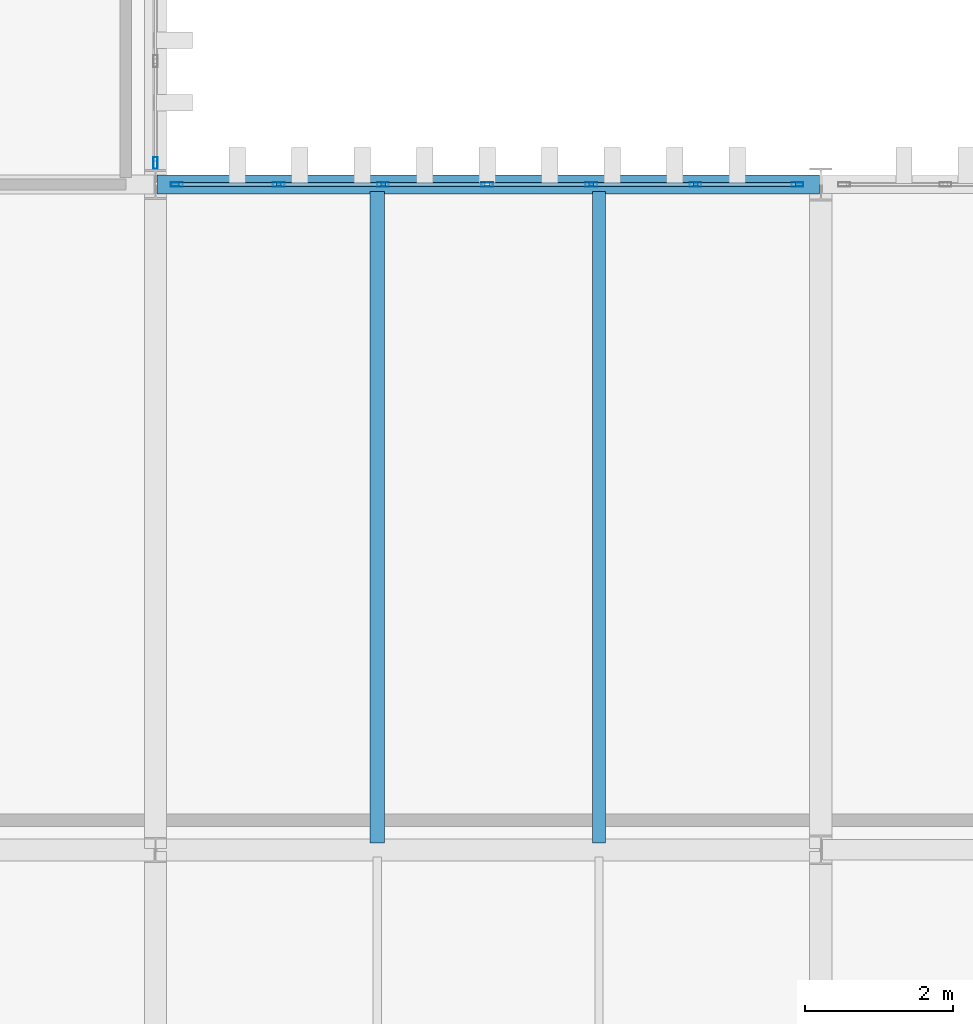
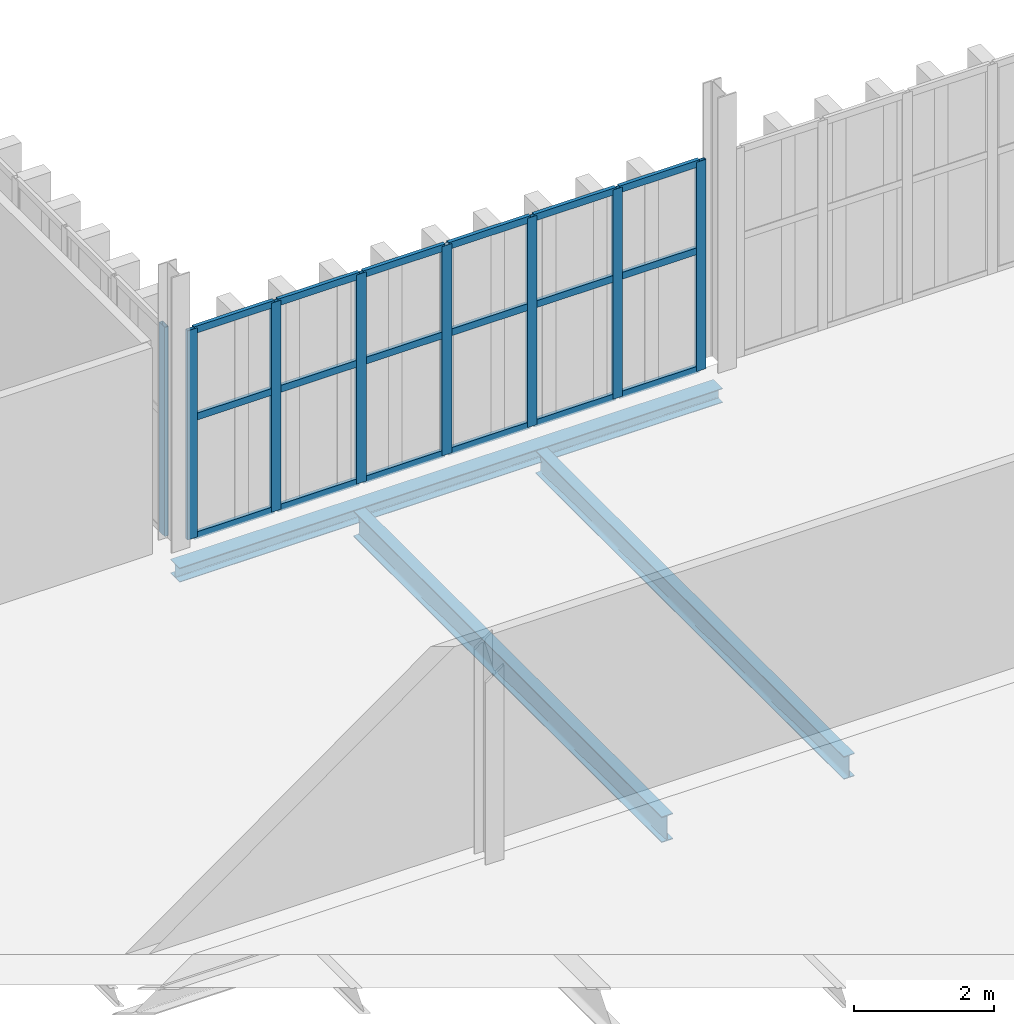
# One storey, part 115 of 196: 26 members, 3 beams, 2 elements without a shape of their own.
"""IFC4 building model written with IfcOpenShell, lengths in metres."""

import ifcopenshell
import ifcopenshell.guid

model = None  # the IFC model being written
_history = None  # IfcOwnerHistory: only IFC2X3 demands one
_inside = {}  # id of a spatial element -> (the spatial element, [elements in it])
_under = {}  # id of a project, library or spatial element -> (it, [spatial elements below it])
_declared = {}  # id of a project -> (the project, [libraries it declares])
_typed = {}  # id of a type object -> (the type object, [elements of that type])
_made_of = {}  # id of a material, layer set ... -> (it, [elements and type objects made of it])


def new_model(schema):
    """Start an empty IFC model of exactly this schema.

    Asked for "IFC4X3", IfcOpenShell would pick the latest addendum, in which some entities
    have other attributes; the version numbers below select the first issue.
    IFC2X3 requires an IfcOwnerHistory on every rooted entity: one is made here for all.
    """
    global model, _history
    if schema == "IFC4X3":
        model = ifcopenshell.file(schema_version=(4, 3, 0, 0))
    else:
        model = ifcopenshell.file(schema=schema)
    _inside.clear()
    _under.clear()
    _declared.clear()
    _typed.clear()
    _made_of.clear()
    _history = None
    if model.schema == "IFC2X3":
        org = make("IfcOrganization", Name="unknown")
        user = make(
            "IfcPersonAndOrganization",
            ThePerson=make("IfcPerson", FamilyName="unknown"),
            TheOrganization=org,
        )
        app = make(
            "IfcApplication",
            ApplicationDeveloper=org,
            Version="unknown",
            ApplicationFullName="unknown",
            ApplicationIdentifier="unknown",
        )
        _history = make(
            "IfcOwnerHistory",
            OwningUser=user,
            OwningApplication=app,
            ChangeAction="ADDED",
            CreationDate=0,
        )
    return model


def make(cls, **values):
    """One entity of the class cls with the attributes given. An attribute that is None is left unset."""
    return model.create_entity(
        cls, **{name: value for name, value in values.items() if value is not None}
    )


def rooted(cls, **values):
    """An entity with a GlobalId (a new one), such as an element, a storey or a relation."""
    return make(cls, GlobalId=ifcopenshell.guid.new(), OwnerHistory=_history, **values)


def si_unit(unit_type, name, prefix=None):
    """IfcSIUnit, for example si_unit("LENGTHUNIT", "METRE", prefix="MILLI")."""
    return make("IfcSIUnit", UnitType=unit_type, Prefix=prefix, Name=name)


def assignment(units):
    """IfcUnitAssignment: the units of a project."""
    return None if units is None else make("IfcUnitAssignment", Units=units)


def point(xyz):
    """IfcCartesianPoint."""
    return None if xyz is None else make("IfcCartesianPoint", Coordinates=xyz)


def direction(xyz):
    """IfcDirection."""
    return None if xyz is None else make("IfcDirection", DirectionRatios=xyz)


def frame(location, z_axis=None, x_axis=None):
    """IfcAxis2Placement3D, a coordinate frame: its origin and axes. An axis left out is left unset."""
    return make(
        "IfcAxis2Placement3D",
        Location=point(location),
        Axis=direction(z_axis),
        RefDirection=direction(x_axis),
    )


def frame_2d(location, x_axis=None):
    """IfcAxis2Placement2D, a coordinate frame in the plane: its origin and x axis."""
    return make(
        "IfcAxis2Placement2D", Location=point(location), RefDirection=direction(x_axis)
    )


def origin():
    """The frame at (0, 0, 0) with its axes left unset."""
    return frame((0.0, 0.0, 0.0))


def origin_2d():
    """The frame at (0, 0) in the plane with its x axis left unset."""
    return frame_2d((0.0, 0.0))


def place(relative_to, where):
    """IfcLocalPlacement: puts the frame where relative to a parent placement (None: the world)."""
    return make(
        "IfcLocalPlacement", PlacementRelTo=relative_to, RelativePlacement=where
    )


def context(
    kind, dimensions, precision=None, world=None, true_north=None, identifier=None
):
    """IfcGeometricRepresentationContext, for example the 3D "Model" context."""
    return make(
        "IfcGeometricRepresentationContext",
        ContextIdentifier=identifier,
        ContextType=kind,
        CoordinateSpaceDimension=dimensions,
        Precision=precision,
        WorldCoordinateSystem=world,
        TrueNorth=true_north,
    )


def subcontext(parent, identifier, kind, view, scale=None):
    """IfcGeometricRepresentationSubContext, for example "Body" below "Model"."""
    return make(
        "IfcGeometricRepresentationSubContext",
        ContextIdentifier=identifier,
        ContextType=kind,
        ParentContext=parent,
        TargetScale=scale,
        TargetView=view,
    )


def project(units=None, contexts=None):
    """IfcProject with its units and contexts."""
    return rooted(
        "IfcProject",
        Name="project",
        RepresentationContexts=contexts,
        UnitsInContext=assignment(units),
    )


def spatial(cls, under=None, at=None, **own):
    """A site, building, storey or space (cls), placed at a placement, below another one or the project."""
    s = rooted(cls, ObjectPlacement=at, **own)
    if under is not None:
        _under.setdefault(under.id(), (under, []))[1].append(s)
    return s


def profile(cls, at=None, kind="AREA", **sizes):
    """A parametric profile (cls). Its sizes go by their IFC names, for example OverallWidth=200.0."""
    return make(cls, ProfileType=kind, Position=at, **sizes)


def hollow_rectangle(**sizes):
    """IfcRectangleHollowProfileDef."""
    return profile("IfcRectangleHollowProfileDef", **sizes)


def i_section(**sizes):
    """IfcIShapeProfileDef."""
    return profile("IfcIShapeProfileDef", **sizes)


def extrude(swept, where, along, depth):
    """IfcExtrudedAreaSolid: the profile swept, set in the frame where, extruded along a direction by depth."""
    return make(
        "IfcExtrudedAreaSolid",
        SweptArea=swept,
        Position=where,
        ExtrudedDirection=direction(along),
        Depth=depth,
    )


def shape(context_of_items, identifier, shape_type, items):
    """IfcShapeRepresentation: the items that make up one representation, for example the "Body"."""
    return make(
        "IfcShapeRepresentation",
        ContextOfItems=context_of_items,
        RepresentationIdentifier=identifier,
        RepresentationType=shape_type,
        Items=items,
    )


def material(Name=None, Category=None):
    """IfcMaterial."""
    return make("IfcMaterial", Name=Name, Category=Category)


def layer(
    of_material, thickness, ventilated=None, Name=None, Category=None, Priority=None
):
    """IfcMaterialLayer: one layer of a wall or slab, of a material (None: an air gap)."""
    return make(
        "IfcMaterialLayer",
        Material=of_material,
        LayerThickness=thickness,
        IsVentilated=ventilated,
        Name=Name,
        Category=Category,
        Priority=Priority,
    )


def layer_set(layers, Name=None):
    """IfcMaterialLayerSet."""
    return make("IfcMaterialLayerSet", MaterialLayers=layers, LayerSetName=Name)


def material_profile(
    of_material, cross_section, Name=None, Category=None, Priority=None
):
    """IfcMaterialProfile: a cross section and its material."""
    return make(
        "IfcMaterialProfile",
        Name=Name,
        Material=of_material,
        Profile=cross_section,
        Priority=Priority,
        Category=Category,
    )


def profile_set(profiles, Name=None, composite=None):
    """IfcMaterialProfileSet."""
    return make(
        "IfcMaterialProfileSet",
        Name=Name,
        MaterialProfiles=profiles,
        CompositeProfile=composite,
    )


def made_of(thing, what):
    """Note that an element or type object is made of a material, layer set ...; save() writes the relation."""
    if what is not None:
        _made_of.setdefault(what.id(), (what, []))[1].append(thing)
    return thing


def type_object(cls, material=None, **own):
    """A type object (cls), such as IfcWallType, which elements share."""
    return made_of(rooted(cls, **own), material)


def element(
    cls,
    number,
    at=None,
    inside=None,
    cuts=None,
    type_object=None,
    material=None,
    context=None,
    identifier="Body",
    shape_type=None,
    held_by="IfcProductDefinitionShape",
    body=None,
    shapes=None,
    **own,
):
    """One element of the class cls, such as IfcWall. Its Tag is "e" and its number.

    at: its placement. inside: the storey or other place that contains it. cuts: it is an
    opening in that element (IfcRelVoidsElement). A single representation is given by context,
    identifier, shape_type and body (its items); several are given by shapes. held_by: the class
    of the entity that holds the representations. save() writes the other relations.
    """
    e = rooted(cls, Tag="e%d" % number, ObjectPlacement=at, **own)
    if body is not None:
        shapes = [shape(context, identifier, shape_type, body)]
    if shapes is not None:
        e.Representation = make(held_by, Representations=shapes)
    if inside is not None:
        _inside.setdefault(inside.id(), (inside, []))[1].append(e)
    if cuts is not None:
        rooted(
            "IfcRelVoidsElement", RelatingBuildingElement=cuts, RelatedOpeningElement=e
        )
    if type_object is not None:
        _typed.setdefault(type_object.id(), (type_object, []))[1].append(e)
    return made_of(e, material)


def aggregate(whole, parts):
    """IfcRelAggregates: a whole, such as a stair, and the parts it consists of."""
    return rooted("IfcRelAggregates", RelatingObject=whole, RelatedObjects=parts)


def save(model, path):
    """Write the relations noted so far, then the file.

    IfcRelAggregates (storeys below a building ...), IfcRelContainedInSpatialStructure (elements
    in a storey), IfcRelDefinesByType, IfcRelAssociatesMaterial and IfcRelDeclares: one each for
    every whole, place, type object, material and project.
    """
    for whole, parts in _under.values():
        aggregate(whole, parts)
    for where, things in _inside.values():
        rooted(
            "IfcRelContainedInSpatialStructure",
            RelatedElements=things,
            RelatingStructure=where,
        )
    for kind, things in _typed.values():
        rooted("IfcRelDefinesByType", RelatedObjects=things, RelatingType=kind)
    for what, things in _made_of.values():
        rooted("IfcRelAssociatesMaterial", RelatedObjects=things, RelatingMaterial=what)
    for by, libraries in _declared.values():
        rooted("IfcRelDeclares", RelatingContext=by, RelatedDefinitions=libraries)
    model.write(path)


model = new_model("IFC4")

# Units and contexts
model_context = context("Model", 3, precision=1e-05, world=origin(), true_north=direction((0.0, 1.0)))
body_context = subcontext(model_context, "Body", "Model", "MODEL_VIEW")
ifc_project = project(units=[si_unit("LENGTHUNIT", "METRE"), si_unit("AREAUNIT", "SQUARE_METRE"), si_unit("VOLUMEUNIT", "CUBIC_METRE"), si_unit("PLANEANGLEUNIT", "RADIAN"), si_unit("MASSUNIT", "GRAM", prefix="KILO")], contexts=[model_context])

# Site, building, storey
site_placement = place(None, origin())
site = spatial("IfcSite", under=ifc_project, at=site_placement, CompositionType="ELEMENT")
building_placement = place(site_placement, origin())
building = spatial("IfcBuilding", under=site, at=building_placement, Name="Barlavento Convention Centre", CompositionType="ELEMENT")
storey_placement = place(building_placement, frame((0.0, 0.0, 18.0)))
storey = spatial("IfcBuildingStorey", under=building, at=storey_placement, Name="L03", CompositionType="ELEMENT", Elevation=18.0)

# Curtain wall, members
ifc_material_1 = material(Name="Powder-coated aluminium and Low-E glass", Category="aluminium")
ifc_layer = layer(ifc_material_1, 0.179931640625)
ifc_layer_set = layer_set([ifc_layer], Name="ARC-CW-PATIO-B")
curtain_wall_type = type_object("IfcCurtainWallType", Name="ARC-CW-PATIO-B", PredefinedType="NOTDEFINED", material=ifc_layer_set)
curtain_wall_1_placement = place(storey_placement, origin())
curtain_wall_1 = element("IfcCurtainWall", 1, at=curtain_wall_1_placement, inside=storey, type_object=curtain_wall_type, Name="L03 unitised curtain wall CW12", PredefinedType="NOTDEFINED")
ifc_material_2 = material(Name="Powder-coated aluminium", Category="aluminium")
ifc_material_profile_1 = material_profile(ifc_material_2, hollow_rectangle(XDim=0.06005859375, YDim=0.159912109375, WallThickness=0.00390625, at=origin_2d()), Name="AL-MULL 60x160x4")
ifc_profile_set_1 = profile_set([ifc_material_profile_1], Name="Powder-coated aluminium")
member_type_1 = type_object("IfcMemberType", Name="ARC-CWM-60X160", PredefinedType="MULLION", material=ifc_profile_set_1)
member_1_placement = place(storey_placement, frame((135.2900390625, 63.0, 0.0), z_axis=(0.0, 0.0, 1.0), x_axis=(0.0, 1.0, 0.0)))
member_1 = element("IfcMember", 2, at=member_1_placement, type_object=member_type_1, Name="CW12 mullion 1", PredefinedType="MULLION", context=body_context, shape_type="SweptSolid", body=[
    extrude(hollow_rectangle(XDim=0.06005859375, YDim=0.159912109375, WallThickness=0.00390625, at=origin_2d()), origin(), (0.0, 0.0, 1.0), 3.64990234375),
])
member_2_placement = place(storey_placement, frame((136.669189453125, 63.0, 0.0), z_axis=(0.0, 0.0, 1.0), x_axis=(0.0, 1.0, 0.0)))
member_2 = element("IfcMember", 3, at=member_2_placement, type_object=member_type_1, Name="CW12 mullion 2", PredefinedType="MULLION", context=body_context, shape_type="SweptSolid", body=[
    extrude(hollow_rectangle(XDim=0.06005859375, YDim=0.159912109375, WallThickness=0.00390625, at=origin_2d()), origin(), (0.0, 0.0, 1.0), 3.64990234375),
])
member_3_placement = place(storey_placement, frame((138.078369140625, 63.0, 0.0), z_axis=(0.0, 0.0, 1.0), x_axis=(0.0, 1.0, 0.0)))
member_3 = element("IfcMember", 4, at=member_3_placement, type_object=member_type_1, Name="CW12 mullion 3", PredefinedType="MULLION", context=body_context, shape_type="SweptSolid", body=[
    extrude(hollow_rectangle(XDim=0.06005859375, YDim=0.159912109375, WallThickness=0.00390625, at=origin_2d()), origin(), (0.0, 0.0, 1.0), 3.64990234375),
])
member_4_placement = place(storey_placement, frame((139.487548828125, 63.0, 0.0), z_axis=(0.0, 0.0, 1.0), x_axis=(0.0, 1.0, 0.0)))
member_4 = element("IfcMember", 5, at=member_4_placement, type_object=member_type_1, Name="CW12 mullion 4", PredefinedType="MULLION", context=body_context, shape_type="SweptSolid", body=[
    extrude(hollow_rectangle(XDim=0.06005859375, YDim=0.159912109375, WallThickness=0.00390625, at=origin_2d()), origin(), (0.0, 0.0, 1.0), 3.64990234375),
])
member_5_placement = place(storey_placement, frame((140.896728515625, 63.0, 0.0), z_axis=(0.0, 0.0, 1.0), x_axis=(0.0, 1.0, 0.0)))
member_5 = element("IfcMember", 6, at=member_5_placement, type_object=member_type_1, Name="CW12 mullion 5", PredefinedType="MULLION", context=body_context, shape_type="SweptSolid", body=[
    extrude(hollow_rectangle(XDim=0.06005859375, YDim=0.159912109375, WallThickness=0.00390625, at=origin_2d()), origin(), (0.0, 0.0, 1.0), 3.64990234375),
])
member_6_placement = place(storey_placement, frame((142.305908203125, 63.0, 0.0), z_axis=(0.0, 0.0, 1.0), x_axis=(0.0, 1.0, 0.0)))
member_6 = element("IfcMember", 7, at=member_6_placement, type_object=member_type_1, Name="CW12 mullion 6", PredefinedType="MULLION", context=body_context, shape_type="SweptSolid", body=[
    extrude(hollow_rectangle(XDim=0.06005859375, YDim=0.159912109375, WallThickness=0.00390625, at=origin_2d()), origin(), (0.0, 0.0, 1.0), 3.64990234375),
])
member_7_placement = place(storey_placement, frame((143.68505859375, 63.0, 0.0), z_axis=(0.0, 0.0, 1.0), x_axis=(0.0, 1.0, 0.0)))
member_7 = element("IfcMember", 8, at=member_7_placement, type_object=member_type_1, Name="CW12 mullion 7", PredefinedType="MULLION", context=body_context, shape_type="SweptSolid", body=[
    extrude(hollow_rectangle(XDim=0.06005859375, YDim=0.159912109375, WallThickness=0.00390625, at=origin_2d()), origin(), (0.0, 0.0, 1.0), 3.64990234375),
])

# Curtain wall, member
curtain_wall_2_placement = place(storey_placement, origin())
curtain_wall_2 = element("IfcCurtainWall", 9, at=curtain_wall_2_placement, inside=storey, type_object=curtain_wall_type, Name="L03 unitised curtain wall CW12", PredefinedType="NOTDEFINED")
member_8_placement = place(storey_placement, frame((135.0, 63.2900390625, 0.0), z_axis=(0.0, 0.0, 1.0), x_axis=(-1.0, 0.0, 0.0)))
member_8 = element("IfcMember", 10, at=member_8_placement, type_object=member_type_1, Name="CW12 mullion 1", PredefinedType="MULLION", context=body_context, shape_type="SweptSolid", body=[
    extrude(hollow_rectangle(XDim=0.06005859375, YDim=0.159912109375, WallThickness=0.00390625, at=origin_2d()), origin(), (0.0, 0.0, 1.0), 3.64990234375),
])
aggregate(curtain_wall_2, [member_8])

# Member
ifc_material_profile_2 = material_profile(ifc_material_2, hollow_rectangle(XDim=0.06005859375, YDim=0.1201171875, WallThickness=0.00390625, at=origin_2d()), Name="AL-TRAN 60x120x4")
ifc_profile_set_2 = profile_set([ifc_material_profile_2], Name="Powder-coated aluminium")
member_type_2 = type_object("IfcMemberType", Name="ARC-CWT-60X120", PredefinedType="USERDEFINED", material=ifc_profile_set_2)
member_9_placement = place(storey_placement, frame((135.320068359375, 63.0, 0.030029296875), z_axis=(1.0, 0.0, 0.0), x_axis=(0.0, 1.0, 0.0)))
member_9 = element("IfcMember", 11, at=member_9_placement, type_object=member_type_2, Name="CW12 transom 1.1", ObjectType="TRANSOM", PredefinedType="USERDEFINED", context=body_context, shape_type="SweptSolid", body=[
    extrude(hollow_rectangle(XDim=0.06005859375, YDim=0.1201171875, WallThickness=0.00390625, at=origin_2d()), origin(), (0.0, 0.0, 1.0), 1.319091796875),
])

member_10_placement = place(storey_placement, frame((135.320068359375, 63.0, 2.10009765625), z_axis=(1.0, 0.0, 0.0), x_axis=(0.0, 1.0, 0.0)))
member_10 = element("IfcMember", 12, at=member_10_placement, type_object=member_type_2, Name="CW12 transom 1.2", ObjectType="TRANSOM", PredefinedType="USERDEFINED", context=body_context, shape_type="SweptSolid", body=[
    extrude(hollow_rectangle(XDim=0.06005859375, YDim=0.1201171875, WallThickness=0.00390625, at=origin_2d()), origin(), (0.0, 0.0, 1.0), 1.319091796875),
])

member_11_placement = place(storey_placement, frame((135.320068359375, 63.0, 3.6201171875), z_axis=(1.0, 0.0, 0.0), x_axis=(0.0, 1.0, 0.0)))
member_11 = element("IfcMember", 13, at=member_11_placement, type_object=member_type_2, Name="CW12 transom 1.3", ObjectType="TRANSOM", PredefinedType="USERDEFINED", context=body_context, shape_type="SweptSolid", body=[
    extrude(hollow_rectangle(XDim=0.06005859375, YDim=0.1201171875, WallThickness=0.00390625, at=origin_2d()), origin(), (0.0, 0.0, 1.0), 1.319091796875),
])

member_12_placement = place(storey_placement, frame((136.69921875, 63.0, 0.030029296875), z_axis=(1.0, 0.0, 0.0), x_axis=(0.0, 1.0, 0.0)))
member_12 = element("IfcMember", 14, at=member_12_placement, type_object=member_type_2, Name="CW12 transom 2.1", ObjectType="TRANSOM", PredefinedType="USERDEFINED", context=body_context, shape_type="SweptSolid", body=[
    extrude(hollow_rectangle(XDim=0.06005859375, YDim=0.1201171875, WallThickness=0.00390625, at=origin_2d()), origin(), (0.0, 0.0, 1.0), 1.34912109375),
])

member_13_placement = place(storey_placement, frame((136.69921875, 63.0, 2.10009765625), z_axis=(1.0, 0.0, 0.0), x_axis=(0.0, 1.0, 0.0)))
member_13 = element("IfcMember", 15, at=member_13_placement, type_object=member_type_2, Name="CW12 transom 2.2", ObjectType="TRANSOM", PredefinedType="USERDEFINED", context=body_context, shape_type="SweptSolid", body=[
    extrude(hollow_rectangle(XDim=0.06005859375, YDim=0.1201171875, WallThickness=0.00390625, at=origin_2d()), origin(), (0.0, 0.0, 1.0), 1.34912109375),
])

member_14_placement = place(storey_placement, frame((136.69921875, 63.0, 3.6201171875), z_axis=(1.0, 0.0, 0.0), x_axis=(0.0, 1.0, 0.0)))
member_14 = element("IfcMember", 16, at=member_14_placement, type_object=member_type_2, Name="CW12 transom 2.3", ObjectType="TRANSOM", PredefinedType="USERDEFINED", context=body_context, shape_type="SweptSolid", body=[
    extrude(hollow_rectangle(XDim=0.06005859375, YDim=0.1201171875, WallThickness=0.00390625, at=origin_2d()), origin(), (0.0, 0.0, 1.0), 1.34912109375),
])

member_15_placement = place(storey_placement, frame((138.1083984375, 63.0, 0.030029296875), z_axis=(1.0, 0.0, 0.0), x_axis=(0.0, 1.0, 0.0)))
member_15 = element("IfcMember", 17, at=member_15_placement, type_object=member_type_2, Name="CW12 transom 3.1", ObjectType="TRANSOM", PredefinedType="USERDEFINED", context=body_context, shape_type="SweptSolid", body=[
    extrude(hollow_rectangle(XDim=0.06005859375, YDim=0.1201171875, WallThickness=0.00390625, at=origin_2d()), origin(), (0.0, 0.0, 1.0), 1.34912109375),
])

member_16_placement = place(storey_placement, frame((138.1083984375, 63.0, 2.10009765625), z_axis=(1.0, 0.0, 0.0), x_axis=(0.0, 1.0, 0.0)))
member_16 = element("IfcMember", 18, at=member_16_placement, type_object=member_type_2, Name="CW12 transom 3.2", ObjectType="TRANSOM", PredefinedType="USERDEFINED", context=body_context, shape_type="SweptSolid", body=[
    extrude(hollow_rectangle(XDim=0.06005859375, YDim=0.1201171875, WallThickness=0.00390625, at=origin_2d()), origin(), (0.0, 0.0, 1.0), 1.34912109375),
])

member_17_placement = place(storey_placement, frame((138.1083984375, 63.0, 3.6201171875), z_axis=(1.0, 0.0, 0.0), x_axis=(0.0, 1.0, 0.0)))
member_17 = element("IfcMember", 19, at=member_17_placement, type_object=member_type_2, Name="CW12 transom 3.3", ObjectType="TRANSOM", PredefinedType="USERDEFINED", context=body_context, shape_type="SweptSolid", body=[
    extrude(hollow_rectangle(XDim=0.06005859375, YDim=0.1201171875, WallThickness=0.00390625, at=origin_2d()), origin(), (0.0, 0.0, 1.0), 1.34912109375),
])

member_18_placement = place(storey_placement, frame((139.517578125, 63.0, 0.030029296875), z_axis=(1.0, 0.0, 0.0), x_axis=(0.0, 1.0, 0.0)))
member_18 = element("IfcMember", 20, at=member_18_placement, type_object=member_type_2, Name="CW12 transom 4.1", ObjectType="TRANSOM", PredefinedType="USERDEFINED", context=body_context, shape_type="SweptSolid", body=[
    extrude(hollow_rectangle(XDim=0.06005859375, YDim=0.1201171875, WallThickness=0.00390625, at=origin_2d()), origin(), (0.0, 0.0, 1.0), 1.34912109375),
])

member_19_placement = place(storey_placement, frame((139.517578125, 63.0, 2.10009765625), z_axis=(1.0, 0.0, 0.0), x_axis=(0.0, 1.0, 0.0)))
member_19 = element("IfcMember", 21, at=member_19_placement, type_object=member_type_2, Name="CW12 transom 4.2", ObjectType="TRANSOM", PredefinedType="USERDEFINED", context=body_context, shape_type="SweptSolid", body=[
    extrude(hollow_rectangle(XDim=0.06005859375, YDim=0.1201171875, WallThickness=0.00390625, at=origin_2d()), origin(), (0.0, 0.0, 1.0), 1.34912109375),
])

member_20_placement = place(storey_placement, frame((139.517578125, 63.0, 3.6201171875), z_axis=(1.0, 0.0, 0.0), x_axis=(0.0, 1.0, 0.0)))
member_20 = element("IfcMember", 22, at=member_20_placement, type_object=member_type_2, Name="CW12 transom 4.3", ObjectType="TRANSOM", PredefinedType="USERDEFINED", context=body_context, shape_type="SweptSolid", body=[
    extrude(hollow_rectangle(XDim=0.06005859375, YDim=0.1201171875, WallThickness=0.00390625, at=origin_2d()), origin(), (0.0, 0.0, 1.0), 1.34912109375),
])

member_21_placement = place(storey_placement, frame((140.9267578125, 63.0, 0.030029296875), z_axis=(1.0, 0.0, 0.0), x_axis=(0.0, 1.0, 0.0)))
member_21 = element("IfcMember", 23, at=member_21_placement, type_object=member_type_2, Name="CW12 transom 5.1", ObjectType="TRANSOM", PredefinedType="USERDEFINED", context=body_context, shape_type="SweptSolid", body=[
    extrude(hollow_rectangle(XDim=0.06005859375, YDim=0.1201171875, WallThickness=0.00390625, at=origin_2d()), origin(), (0.0, 0.0, 1.0), 1.34912109375),
])

member_22_placement = place(storey_placement, frame((140.9267578125, 63.0, 2.10009765625), z_axis=(1.0, 0.0, 0.0), x_axis=(0.0, 1.0, 0.0)))
member_22 = element("IfcMember", 24, at=member_22_placement, type_object=member_type_2, Name="CW12 transom 5.2", ObjectType="TRANSOM", PredefinedType="USERDEFINED", context=body_context, shape_type="SweptSolid", body=[
    extrude(hollow_rectangle(XDim=0.06005859375, YDim=0.1201171875, WallThickness=0.00390625, at=origin_2d()), origin(), (0.0, 0.0, 1.0), 1.34912109375),
])

member_23_placement = place(storey_placement, frame((140.9267578125, 63.0, 3.6201171875), z_axis=(1.0, 0.0, 0.0), x_axis=(0.0, 1.0, 0.0)))
member_23 = element("IfcMember", 25, at=member_23_placement, type_object=member_type_2, Name="CW12 transom 5.3", ObjectType="TRANSOM", PredefinedType="USERDEFINED", context=body_context, shape_type="SweptSolid", body=[
    extrude(hollow_rectangle(XDim=0.06005859375, YDim=0.1201171875, WallThickness=0.00390625, at=origin_2d()), origin(), (0.0, 0.0, 1.0), 1.34912109375),
])

member_24_placement = place(storey_placement, frame((142.3359375, 63.0, 0.030029296875), z_axis=(1.0, 0.0, 0.0), x_axis=(0.0, 1.0, 0.0)))
member_24 = element("IfcMember", 26, at=member_24_placement, type_object=member_type_2, Name="CW12 transom 6.1", ObjectType="TRANSOM", PredefinedType="USERDEFINED", context=body_context, shape_type="SweptSolid", body=[
    extrude(hollow_rectangle(XDim=0.06005859375, YDim=0.1201171875, WallThickness=0.00390625, at=origin_2d()), origin(), (0.0, 0.0, 1.0), 1.319091796875),
])

member_25_placement = place(storey_placement, frame((142.3359375, 63.0, 2.10009765625), z_axis=(1.0, 0.0, 0.0), x_axis=(0.0, 1.0, 0.0)))
member_25 = element("IfcMember", 27, at=member_25_placement, type_object=member_type_2, Name="CW12 transom 6.2", ObjectType="TRANSOM", PredefinedType="USERDEFINED", context=body_context, shape_type="SweptSolid", body=[
    extrude(hollow_rectangle(XDim=0.06005859375, YDim=0.1201171875, WallThickness=0.00390625, at=origin_2d()), origin(), (0.0, 0.0, 1.0), 1.319091796875),
])

member_26_placement = place(storey_placement, frame((142.3359375, 63.0, 3.6201171875), z_axis=(1.0, 0.0, 0.0), x_axis=(0.0, 1.0, 0.0)))
member_26 = element("IfcMember", 28, at=member_26_placement, type_object=member_type_2, Name="CW12 transom 6.3", ObjectType="TRANSOM", PredefinedType="USERDEFINED", context=body_context, shape_type="SweptSolid", body=[
    extrude(hollow_rectangle(XDim=0.06005859375, YDim=0.1201171875, WallThickness=0.00390625, at=origin_2d()), origin(), (0.0, 0.0, 1.0), 1.319091796875),
])

aggregate(curtain_wall_1, [member_1, member_2, member_3, member_4, member_5, member_6, member_7, member_9, member_10, member_11, member_12, member_13, member_14, member_15, member_16, member_17, member_18, member_19, member_20, member_21, member_22, member_23, member_24, member_25, member_26])

# Beams
ifc_material_3 = material(Name="Steel S355", Category="steel")
ifc_material_profile_3 = material_profile(ifc_material_3, i_section(OverallWidth=0.179931640625, OverallDepth=0.39990234375, WebThickness=0.008544921875, FlangeThickness=0.013427734375, FilletRadius=0.02099609375, at=origin_2d()), Name="IPE 400")
ifc_profile_set_3 = profile_set([ifc_material_profile_3], Name="Steel S355")
beam_type_1 = type_object("IfcBeamType", Name="STR-BM-JST-IPE400", PredefinedType="JOIST", material=ifc_profile_set_3)
beam_1_placement = place(storey_placement, frame((141.0, 54.094970703125, -0.590087890625), z_axis=(0.0, 1.0, 0.0), x_axis=(-1.0, 0.0, 0.0)))
element("IfcBeam", 29, at=beam_1_placement, inside=storey, type_object=beam_type_1, Name="L03 composite floor joist SJ04", PredefinedType="JOIST", context=body_context, shape_type="SweptSolid", body=[
    extrude(i_section(OverallWidth=0.179931640625, OverallDepth=0.39990234375, WebThickness=0.008544921875, FlangeThickness=0.013427734375, FilletRadius=0.02099609375, at=origin_2d()), origin(), (0.0, 0.0, 1.0), 8.81005859375),
])
ifc_material_profile_4 = material_profile(ifc_material_3, i_section(OverallWidth=0.18994140625, OverallDepth=0.449951171875, WebThickness=0.009521484375, FlangeThickness=0.0146484375, FilletRadius=0.02099609375, at=origin_2d()), Name="IPE 450")
ifc_profile_set_4 = profile_set([ifc_material_profile_4], Name="Steel S355")
beam_type_2 = type_object("IfcBeamType", Name="STR-BM-JST-IPE450", PredefinedType="JOIST", material=ifc_profile_set_4)
beam_2_placement = place(storey_placement, frame((138.0, 54.094970703125, -0.614990234375), z_axis=(0.0, 1.0, 0.0), x_axis=(-1.0, 0.0, 0.0)))
element("IfcBeam", 30, at=beam_2_placement, inside=storey, type_object=beam_type_2, Name="L03 composite floor joist SJ03", PredefinedType="JOIST", context=body_context, shape_type="SweptSolid", body=[
    extrude(i_section(OverallWidth=0.18994140625, OverallDepth=0.449951171875, WebThickness=0.009521484375, FlangeThickness=0.0146484375, FilletRadius=0.02099609375, at=origin_2d()), origin(), (0.0, 0.0, 1.0), 8.81005859375),
])
ifc_material_profile_5 = material_profile(ifc_material_3, i_section(OverallWidth=0.260009765625, OverallDepth=0.25, WebThickness=0.007568359375, FlangeThickness=0.012451171875, FilletRadius=0.02392578125, at=origin_2d()), Name="HEA 260")
ifc_profile_set_5 = profile_set([ifc_material_profile_5], Name="Steel S355")
beam_type_3 = type_object("IfcBeamType", Name="STR-BM-SPN-HEA260", PredefinedType="SPANDREL", material=ifc_profile_set_5)
beam_3_placement = place(storey_placement, frame((135.02001953125, 63.0, -0.485107421875), z_axis=(1.0, 0.0, 0.0), x_axis=(0.0, 1.0, 0.0)))
element("IfcBeam", 31, at=beam_3_placement, inside=storey, type_object=beam_type_3, Name="L03 primary girder SP04", PredefinedType="SPANDREL", context=body_context, shape_type="SweptSolid", body=[
    extrude(i_section(OverallWidth=0.260009765625, OverallDepth=0.25, WebThickness=0.007568359375, FlangeThickness=0.012451171875, FilletRadius=0.02392578125, at=origin_2d()), origin(), (0.0, 0.0, 1.0), 8.9599609375),
])

save(model, "model.ifc")
